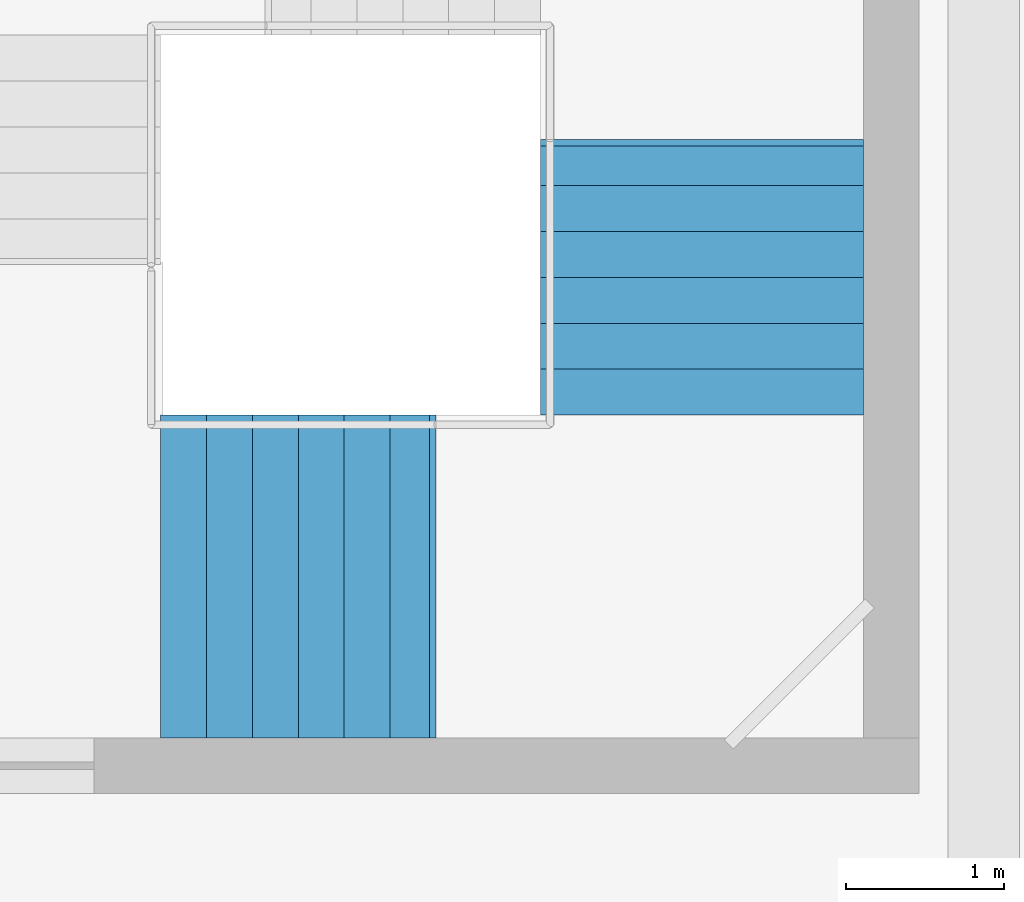
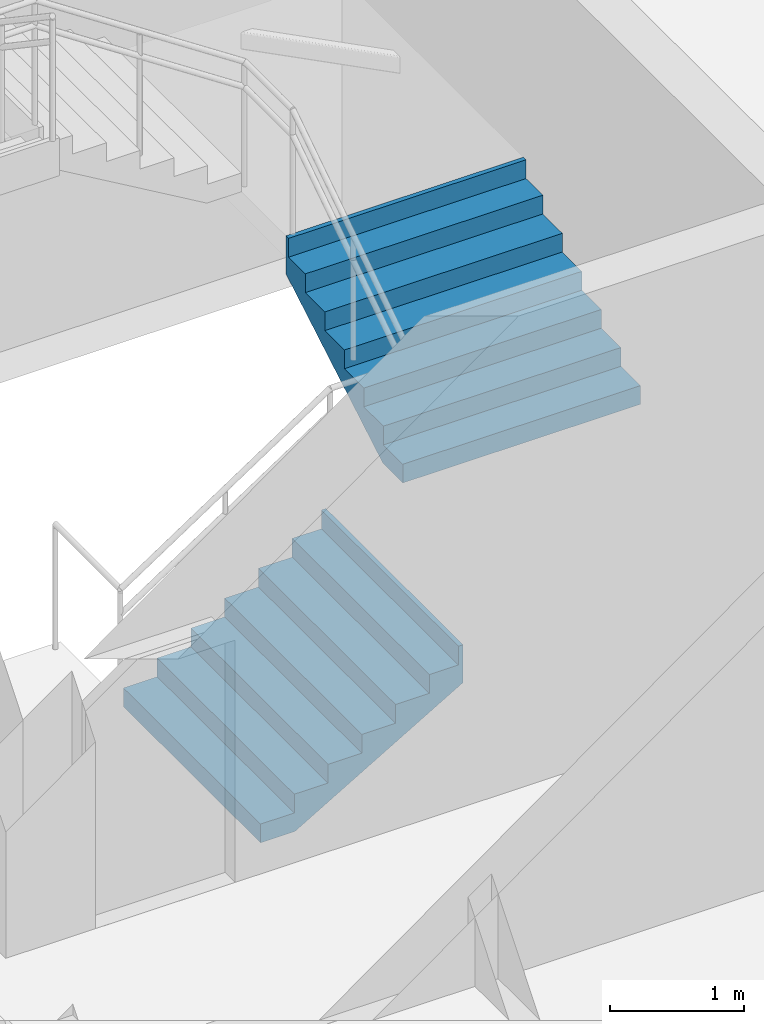
# One storey, part 26 of 32: 2 stair flights, 1 element without a shape of its own.
"""IFC4 building model written with IfcOpenShell, lengths in metres."""

from ifc_helpers import new_model, si_unit, direction, frame, origin, place, context, subcontext, project, spatial, triangles, material, type_object, element, aggregate, save


model = new_model("IFC4")

# Units and contexts
model_context = context("Model", 3, precision=1e-05, world=origin(), true_north=direction((0.0, 1.0)))
body_context = subcontext(model_context, "Body", "Model", "MODEL_VIEW")
ifc_project = project(units=[si_unit("LENGTHUNIT", "METRE"), si_unit("AREAUNIT", "SQUARE_METRE"), si_unit("VOLUMEUNIT", "CUBIC_METRE"), si_unit("PLANEANGLEUNIT", "RADIAN"), si_unit("MASSUNIT", "GRAM", prefix="KILO")], contexts=[model_context])

# Site, building, storey
site_placement = place(None, origin())
site = spatial("IfcSite", under=ifc_project, at=site_placement, CompositionType="ELEMENT")
building_placement = place(site_placement, origin())
building = spatial("IfcBuilding", under=site, at=building_placement, Name="Sillaruma Civic Art Gallery", CompositionType="ELEMENT")
storey_placement = place(building_placement, frame((0.0, 0.0, -4.590087890625)))
storey = spatial("IfcBuildingStorey", under=building, at=storey_placement, Name="B01", CompositionType="ELEMENT", Elevation=-4.590087890625)

# Stair, stair flights
ifc_material = material(Name="Concrete H35 (35 MPa)", Category="concrete")
stair_type = type_object("IfcStairType", Name="STR-4F-27", PredefinedType="USERDEFINED", material=ifc_material)
stair_placement = place(storey_placement, origin())
stair = element("IfcStair", 1, at=stair_placement, inside=storey, type_object=stair_type, Name="Protected Exit Stair ST-02 (West Bar North) (B01)", ObjectType="THREE_RETURN_STAIR", PredefinedType="USERDEFINED")
stair_flight_type = type_object("IfcStairFlightType", Name="SFL-STR-7", PredefinedType="STRAIGHT", material=ifc_material)
stair_flight_1_placement = place(storey_placement, frame((64.800048828125, 81.929931640625, 0.0), z_axis=(0.0, 0.0, 1.0), x_axis=(1.0, 0.0, 0.0)))
stair_flight_1 = element("IfcStairFlight", 2, at=stair_flight_1_placement, type_object=stair_flight_type, Name="ST-02 flight 1", NumberOfRisers=7, NumberOfTreads=6, PredefinedType="STRAIGHT", RiserHeight=0.17, TreadLength=0.29, context=body_context, shape_type="Tessellation", body=[
    triangles([(0.0, -1.02001953125, 0.0), (0.29, -1.02001953125, 0.0), (0.296404, -1.02001953125, 0.0), (0.58, -1.02001953125, 0.166246), (0.87, -1.02001953125, 0.336246), (1.16, -1.02001953125, 0.506246), (1.45, -1.02001953125, 0.676246), (1.69999, -1.02001953125, 0.822792), (1.73999, -1.02001953125, 0.84624), (1.73999, -1.02001953125, 1.19), (1.69999, -1.02001953125, 1.19), (1.69999, -1.02001953125, 1.02), (1.45, -1.02001953125, 1.02), (1.45, -1.02001953125, 0.85), (1.16, -1.02001953125, 0.85), (1.16, -1.02001953125, 0.68), (0.87, -1.02001953125, 0.68), (0.87, -1.02001953125, 0.51), (0.58, -1.02001953125, 0.51), (0.58, -1.02001953125, 0.34), (0.296404, -1.02001953125, 0.34), (0.29, -1.02001953125, 0.34), (0.29, -1.02001953125, 0.17), (0.0, -1.02001953125, 0.17), (0.0, -0.05, 0.0), (0.29, -0.05, 0.0), (0.296404, -0.05, 0.0), (0.58, -0.05, 0.166246), (0.87, -0.05, 0.336246), (1.16, -0.05, 0.506246), (1.45, -0.05, 0.676246), (1.69999, -0.05, 0.822792), (1.73999, -0.05, 0.84624), (1.73999, -0.05, 1.19), (1.69999, -0.05, 1.19), (1.69999, -0.05, 1.02), (1.45, -0.05, 1.02), (1.45, -0.05, 0.85), (1.16, -0.05, 0.85), (1.16, -0.05, 0.68), (0.87, -0.05, 0.68), (0.87, -0.05, 0.51), (0.58, -0.05, 0.51), (0.58, -0.05, 0.34), (0.296404, -0.05, 0.34), (0.29, -0.05, 0.34), (0.29, -0.05, 0.17), (0.0, -0.05, 0.17), (0.0, -0.0375, 0.0), (0.29, -0.0375, 0.0), (0.296404, -0.0375, 0.0), (0.58, -0.0375, 0.166246), (0.87, -0.0375, 0.336246), (1.16, -0.0375, 0.506246), (1.45, -0.0375, 0.676246), (1.69999, -0.0375, 0.822792), (1.73999, -0.0375, 0.84624), (1.73999, -0.0375, 1.19), (1.69999, -0.0375, 1.19), (1.69999, -0.0375, 1.02), (1.45, -0.0375, 1.02), (1.45, -0.0375, 0.85), (1.16, -0.0375, 0.85), (1.16, -0.0375, 0.68), (0.87, -0.0375, 0.68), (0.87, -0.0375, 0.51), (0.58, -0.0375, 0.51), (0.58, -0.0375, 0.34), (0.296404, -0.0375, 0.34), (0.29, -0.0375, 0.34), (0.29, -0.0375, 0.17), (0.0, -0.0375, 0.17), (0.0, -0.025, 0.0), (0.29, -0.025, 0.0), (0.296404, -0.025, 0.0), (0.58, -0.025, 0.166246), (0.87, -0.025, 0.336246), (1.16, -0.025, 0.506246), (1.45, -0.025, 0.676246), (1.69999, -0.025, 0.822792), (1.73999, -0.025, 0.84624), (1.73999, -0.025, 1.19), (1.69999, -0.025, 1.19), (1.69999, -0.025, 1.02), (1.45, -0.025, 1.02), (1.45, -0.025, 0.85), (1.16, -0.025, 0.85), (1.16, -0.025, 0.68), (0.87, -0.025, 0.68), (0.87, -0.025, 0.51), (0.58, -0.025, 0.51), (0.58, -0.025, 0.34), (0.296404, -0.025, 0.34), (0.29, -0.025, 0.34), (0.29, -0.025, 0.17), (0.0, -0.025, 0.17), (0.0, -0.0125, 0.0), (0.29, -0.0125, 0.0), (0.296404, -0.0125, 0.0), (0.58, -0.0125, 0.166246), (0.87, -0.0125, 0.336246), (1.16, -0.0125, 0.506246), (1.45, -0.0125, 0.676246), (1.69999, -0.0125, 0.822792), (1.73999, -0.0125, 0.84624), (1.73999, -0.0125, 1.19), (1.69999, -0.0125, 1.19), (1.69999, -0.0125, 1.02), (1.45, -0.0125, 1.02), (1.45, -0.0125, 0.85), (1.16, -0.0125, 0.85), (1.16, -0.0125, 0.68), (0.87, -0.0125, 0.68), (0.87, -0.0125, 0.51), (0.58, -0.0125, 0.51), (0.58, -0.0125, 0.34), (0.296404, -0.0125, 0.34), (0.29, -0.0125, 0.34), (0.29, -0.0125, 0.17), (0.0, -0.0125, 0.17), (0.0, 0.0, 0.0), (0.29, 0.0, 0.0), (0.296404, 0.0, 0.0), (0.58, 0.0, 0.166246), (0.87, 0.0, 0.336246), (1.16, 0.0, 0.506246), (1.45, 0.0, 0.676246), (1.69999, 0.0, 0.822792), (1.73999, 0.0, 0.84624), (1.73999, 0.0, 1.19), (1.69999, 0.0, 1.19), (1.69999, 0.0, 1.02), (1.45, 0.0, 1.02), (1.45, 0.0, 0.85), (1.16, 0.0, 0.85), (1.16, 0.0, 0.68), (0.87, 0.0, 0.68), (0.87, 0.0, 0.51), (0.58, 0.0, 0.51), (0.58, 0.0, 0.34), (0.296404, 0.0, 0.34), (0.29, 0.0, 0.34), (0.29, 0.0, 0.17), (0.0, 0.0, 0.17), (0.0, 0.0125, 0.0), (0.29, 0.0125, 0.0), (0.296404, 0.0125, 0.0), (0.58, 0.0125, 0.166246), (0.87, 0.0125, 0.336246), (1.16, 0.0125, 0.506246), (1.45, 0.0125, 0.676246), (1.69999, 0.0125, 0.822792), (1.73999, 0.0125, 0.84624), (1.73999, 0.0125, 1.19), (1.69999, 0.0125, 1.19), (1.69999, 0.0125, 1.02), (1.45, 0.0125, 1.02), (1.45, 0.0125, 0.85), (1.16, 0.0125, 0.85), (1.16, 0.0125, 0.68), (0.87, 0.0125, 0.68), (0.87, 0.0125, 0.51), (0.58, 0.0125, 0.51), (0.58, 0.0125, 0.34), (0.296404, 0.0125, 0.34), (0.29, 0.0125, 0.34), (0.29, 0.0125, 0.17), (0.0, 0.0125, 0.17), (0.0, 0.025, 0.0), (0.29, 0.025, 0.0), (0.296404, 0.025, 0.0), (0.58, 0.025, 0.166246), (0.87, 0.025, 0.336246), (1.16, 0.025, 0.506246), (1.45, 0.025, 0.676246), (1.69999, 0.025, 0.822792), (1.73999, 0.025, 0.84624), (1.73999, 0.025, 1.19), (1.69999, 0.025, 1.19), (1.69999, 0.025, 1.02), (1.45, 0.025, 1.02), (1.45, 0.025, 0.85), (1.16, 0.025, 0.85), (1.16, 0.025, 0.68), (0.87, 0.025, 0.68), (0.87, 0.025, 0.51), (0.58, 0.025, 0.51), (0.58, 0.025, 0.34), (0.296404, 0.025, 0.34), (0.29, 0.025, 0.34), (0.29, 0.025, 0.17), (0.0, 0.025, 0.17), (0.0, 0.0375, 0.0), (0.29, 0.0375, 0.0), (0.296404, 0.0375, 0.0), (0.58, 0.0375, 0.166246), (0.87, 0.0375, 0.336246), (1.16, 0.0375, 0.506246), (1.45, 0.0375, 0.676246), (1.69999, 0.0375, 0.822792), (1.73999, 0.0375, 0.84624), (1.73999, 0.0375, 1.19), (1.69999, 0.0375, 1.19), (1.69999, 0.0375, 1.02), (1.45, 0.0375, 1.02), (1.45, 0.0375, 0.85), (1.16, 0.0375, 0.85), (1.16, 0.0375, 0.68), (0.87, 0.0375, 0.68), (0.87, 0.0375, 0.51), (0.58, 0.0375, 0.51), (0.58, 0.0375, 0.34), (0.296404, 0.0375, 0.34), (0.29, 0.0375, 0.34), (0.29, 0.0375, 0.17), (0.0, 0.0375, 0.17), (0.0, 0.05, 0.0), (0.29, 0.05, 0.0), (0.296404, 0.05, 0.0), (0.58, 0.05, 0.166246), (0.87, 0.05, 0.336246), (1.16, 0.05, 0.506246), (1.45, 0.05, 0.676246), (1.69999, 0.05, 0.822792), (1.73999, 0.05, 0.84624), (1.73999, 0.05, 1.19), (1.69999, 0.05, 1.19), (1.69999, 0.05, 1.02), (1.45, 0.05, 1.02), (1.45, 0.05, 0.85), (1.16, 0.05, 0.85), (1.16, 0.05, 0.68), (0.87, 0.05, 0.68), (0.87, 0.05, 0.51), (0.58, 0.05, 0.51), (0.58, 0.05, 0.34), (0.296404, 0.05, 0.34), (0.29, 0.05, 0.34), (0.29, 0.05, 0.17), (0.0, 0.05, 0.17), (0.0, 1.02001953125, 0.0), (0.29, 1.02001953125, 0.0), (0.296404, 1.02001953125, 0.0), (0.58, 1.02001953125, 0.166246), (0.87, 1.02001953125, 0.336246), (1.16, 1.02001953125, 0.506246), (1.45, 1.02001953125, 0.676246), (1.69999, 1.02001953125, 0.822792), (1.73999, 1.02001953125, 0.84624), (1.73999, 1.02001953125, 1.19), (1.69999, 1.02001953125, 1.19), (1.69999, 1.02001953125, 1.02), (1.45, 1.02001953125, 1.02), (1.45, 1.02001953125, 0.85), (1.16, 1.02001953125, 0.85), (1.16, 1.02001953125, 0.68), (0.87, 1.02001953125, 0.68), (0.87, 1.02001953125, 0.51), (0.58, 1.02001953125, 0.51), (0.58, 1.02001953125, 0.34), (0.296404, 1.02001953125, 0.34), (0.29, 1.02001953125, 0.34), (0.29, 1.02001953125, 0.17), (0.0, 1.02001953125, 0.17)], [[1, 2, 23], [1, 23, 24], [2, 3, 21], [2, 21, 23], [23, 21, 22], [3, 4, 20], [3, 20, 21], [4, 5, 18], [4, 18, 20], [20, 18, 19], [5, 6, 16], [5, 16, 18], [18, 16, 17], [6, 7, 14], [6, 14, 16], [16, 14, 15], [7, 8, 12], [7, 12, 14], [14, 12, 13], [8, 9, 10], [8, 10, 12], [12, 10, 11], [263, 242, 241], [264, 263, 241], [261, 243, 242], [263, 261, 242], [262, 261, 263], [260, 244, 243], [261, 260, 243], [258, 245, 244], [260, 258, 244], [259, 258, 260], [256, 246, 245], [258, 256, 245], [257, 256, 258], [254, 247, 246], [256, 254, 246], [255, 254, 256], [252, 248, 247], [254, 252, 247], [253, 252, 254], [250, 249, 248], [252, 250, 248], [251, 250, 252], [2, 1, 25], [2, 25, 26], [3, 2, 26], [3, 26, 27], [4, 3, 27], [4, 27, 28], [5, 4, 28], [5, 28, 29], [6, 5, 29], [6, 29, 30], [7, 6, 30], [7, 30, 31], [8, 7, 31], [8, 31, 32], [9, 8, 32], [9, 32, 33], [10, 9, 33], [10, 33, 34], [11, 10, 34], [11, 34, 35], [12, 11, 35], [12, 35, 36], [13, 12, 36], [13, 36, 37], [14, 13, 37], [14, 37, 38], [15, 14, 38], [15, 38, 39], [16, 15, 39], [16, 39, 40], [17, 16, 40], [17, 40, 41], [18, 17, 41], [18, 41, 42], [19, 18, 42], [19, 42, 43], [20, 19, 43], [20, 43, 44], [21, 20, 44], [21, 44, 45], [22, 21, 45], [22, 45, 46], [23, 22, 46], [23, 46, 47], [24, 23, 47], [24, 47, 48], [1, 24, 48], [1, 48, 25], [26, 25, 49], [26, 49, 50], [27, 26, 50], [27, 50, 51], [28, 27, 51], [28, 51, 52], [29, 28, 52], [29, 52, 53], [30, 29, 53], [30, 53, 54], [31, 30, 54], [31, 54, 55], [32, 31, 55], [32, 55, 56], [33, 32, 56], [33, 56, 57], [34, 33, 57], [34, 57, 58], [35, 34, 58], [35, 58, 59], [36, 35, 59], [36, 59, 60], [37, 36, 60], [37, 60, 61], [38, 37, 61], [38, 61, 62], [39, 38, 62], [39, 62, 63], [40, 39, 63], [40, 63, 64], [41, 40, 64], [41, 64, 65], [42, 41, 65], [42, 65, 66], [43, 42, 66], [43, 66, 67], [44, 43, 67], [44, 67, 68], [45, 44, 68], [45, 68, 69], [46, 45, 69], [46, 69, 70], [47, 46, 70], [47, 70, 71], [48, 47, 71], [48, 71, 72], [25, 48, 72], [25, 72, 49], [50, 49, 73], [50, 73, 74], [51, 50, 74], [51, 74, 75], [52, 51, 75], [52, 75, 76], [53, 52, 76], [53, 76, 77], [54, 53, 77], [54, 77, 78], [55, 54, 78], [55, 78, 79], [56, 55, 79], [56, 79, 80], [57, 56, 80], [57, 80, 81], [58, 57, 81], [58, 81, 82], [59, 58, 82], [59, 82, 83], [60, 59, 83], [60, 83, 84], [61, 60, 84], [61, 84, 85], [62, 61, 85], [62, 85, 86], [63, 62, 86], [63, 86, 87], [64, 63, 87], [64, 87, 88], [65, 64, 88], [65, 88, 89], [66, 65, 89], [66, 89, 90], [67, 66, 90], [67, 90, 91], [68, 67, 91], [68, 91, 92], [69, 68, 92], [69, 92, 93], [70, 69, 93], [70, 93, 94], [71, 70, 94], [71, 94, 95], [72, 71, 95], [72, 95, 96], [49, 72, 96], [49, 96, 73], [74, 73, 97], [74, 97, 98], [75, 74, 98], [75, 98, 99], [76, 75, 99], [76, 99, 100], [77, 76, 100], [77, 100, 101], [78, 77, 101], [78, 101, 102], [79, 78, 102], [79, 102, 103], [80, 79, 103], [80, 103, 104], [81, 80, 104], [81, 104, 105], [82, 81, 105], [82, 105, 106], [83, 82, 106], [83, 106, 107], [84, 83, 107], [84, 107, 108], [85, 84, 108], [85, 108, 109], [86, 85, 109], [86, 109, 110], [87, 86, 110], [87, 110, 111], [88, 87, 111], [88, 111, 112], [89, 88, 112], [89, 112, 113], [90, 89, 113], [90, 113, 114], [91, 90, 114], [91, 114, 115], [92, 91, 115], [92, 115, 116], [93, 92, 116], [93, 116, 117], [94, 93, 117], [94, 117, 118], [95, 94, 118], [95, 118, 119], [96, 95, 119], [96, 119, 120], [73, 96, 120], [73, 120, 97], [98, 97, 121], [98, 121, 122], [99, 98, 122], [99, 122, 123], [100, 99, 123], [100, 123, 124], [101, 100, 124], [101, 124, 125], [102, 101, 125], [102, 125, 126], [103, 102, 126], [103, 126, 127], [104, 103, 127], [104, 127, 128], [105, 104, 128], [105, 128, 129], [106, 105, 129], [106, 129, 130], [107, 106, 130], [107, 130, 131], [108, 107, 131], [108, 131, 132], [109, 108, 132], [109, 132, 133], [110, 109, 133], [110, 133, 134], [111, 110, 134], [111, 134, 135], [112, 111, 135], [112, 135, 136], [113, 112, 136], [113, 136, 137], [114, 113, 137], [114, 137, 138], [115, 114, 138], [115, 138, 139], [116, 115, 139], [116, 139, 140], [117, 116, 140], [117, 140, 141], [118, 117, 141], [118, 141, 142], [119, 118, 142], [119, 142, 143], [120, 119, 143], [120, 143, 144], [97, 120, 144], [97, 144, 121], [122, 121, 145], [122, 145, 146], [123, 122, 146], [123, 146, 147], [124, 123, 147], [124, 147, 148], [125, 124, 148], [125, 148, 149], [126, 125, 149], [126, 149, 150], [127, 126, 150], [127, 150, 151], [128, 127, 151], [128, 151, 152], [129, 128, 152], [129, 152, 153], [130, 129, 153], [130, 153, 154], [131, 130, 154], [131, 154, 155], [132, 131, 155], [132, 155, 156], [133, 132, 156], [133, 156, 157], [134, 133, 157], [134, 157, 158], [135, 134, 158], [135, 158, 159], [136, 135, 159], [136, 159, 160], [137, 136, 160], [137, 160, 161], [138, 137, 161], [138, 161, 162], [139, 138, 162], [139, 162, 163], [140, 139, 163], [140, 163, 164], [141, 140, 164], [141, 164, 165], [142, 141, 165], [142, 165, 166], [143, 142, 166], [143, 166, 167], [144, 143, 167], [144, 167, 168], [121, 144, 168], [121, 168, 145], [146, 145, 169], [146, 169, 170], [147, 146, 170], [147, 170, 171], [148, 147, 171], [148, 171, 172], [149, 148, 172], [149, 172, 173], [150, 149, 173], [150, 173, 174], [151, 150, 174], [151, 174, 175], [152, 151, 175], [152, 175, 176], [153, 152, 176], [153, 176, 177], [154, 153, 177], [154, 177, 178], [155, 154, 178], [155, 178, 179], [156, 155, 179], [156, 179, 180], [157, 156, 180], [157, 180, 181], [158, 157, 181], [158, 181, 182], [159, 158, 182], [159, 182, 183], [160, 159, 183], [160, 183, 184], [161, 160, 184], [161, 184, 185], [162, 161, 185], [162, 185, 186], [163, 162, 186], [163, 186, 187], [164, 163, 187], [164, 187, 188], [165, 164, 188], [165, 188, 189], [166, 165, 189], [166, 189, 190], [167, 166, 190], [167, 190, 191], [168, 167, 191], [168, 191, 192], [145, 168, 192], [145, 192, 169], [170, 169, 193], [170, 193, 194], [171, 170, 194], [171, 194, 195], [172, 171, 195], [172, 195, 196], [173, 172, 196], [173, 196, 197], [174, 173, 197], [174, 197, 198], [175, 174, 198], [175, 198, 199], [176, 175, 199], [176, 199, 200], [177, 176, 200], [177, 200, 201], [178, 177, 201], [178, 201, 202], [179, 178, 202], [179, 202, 203], [180, 179, 203], [180, 203, 204], [181, 180, 204], [181, 204, 205], [182, 181, 205], [182, 205, 206], [183, 182, 206], [183, 206, 207], [184, 183, 207], [184, 207, 208], [185, 184, 208], [185, 208, 209], [186, 185, 209], [186, 209, 210], [187, 186, 210], [187, 210, 211], [188, 187, 211], [188, 211, 212], [189, 188, 212], [189, 212, 213], [190, 189, 213], [190, 213, 214], [191, 190, 214], [191, 214, 215], [192, 191, 215], [192, 215, 216], [169, 192, 216], [169, 216, 193], [194, 193, 217], [194, 217, 218], [195, 194, 218], [195, 218, 219], [196, 195, 219], [196, 219, 220], [197, 196, 220], [197, 220, 221], [198, 197, 221], [198, 221, 222], [199, 198, 222], [199, 222, 223], [200, 199, 223], [200, 223, 224], [201, 200, 224], [201, 224, 225], [202, 201, 225], [202, 225, 226], [203, 202, 226], [203, 226, 227], [204, 203, 227], [204, 227, 228], [205, 204, 228], [205, 228, 229], [206, 205, 229], [206, 229, 230], [207, 206, 230], [207, 230, 231], [208, 207, 231], [208, 231, 232], [209, 208, 232], [209, 232, 233], [210, 209, 233], [210, 233, 234], [211, 210, 234], [211, 234, 235], [212, 211, 235], [212, 235, 236], [213, 212, 236], [213, 236, 237], [214, 213, 237], [214, 237, 238], [215, 214, 238], [215, 238, 239], [216, 215, 239], [216, 239, 240], [193, 216, 240], [193, 240, 217], [218, 217, 241], [218, 241, 242], [219, 218, 242], [219, 242, 243], [220, 219, 243], [220, 243, 244], [221, 220, 244], [221, 244, 245], [222, 221, 245], [222, 245, 246], [223, 222, 246], [223, 246, 247], [224, 223, 247], [224, 247, 248], [225, 224, 248], [225, 248, 249], [226, 225, 249], [226, 249, 250], [227, 226, 250], [227, 250, 251], [228, 227, 251], [228, 251, 252], [229, 228, 252], [229, 252, 253], [230, 229, 253], [230, 253, 254], [231, 230, 254], [231, 254, 255], [232, 231, 255], [232, 255, 256], [233, 232, 256], [233, 256, 257], [234, 233, 257], [234, 257, 258], [235, 234, 258], [235, 258, 259], [236, 235, 259], [236, 259, 260], [237, 236, 260], [237, 260, 261], [238, 237, 261], [238, 261, 262], [239, 238, 262], [239, 262, 263], [240, 239, 263], [240, 263, 264], [217, 240, 264], [217, 264, 241]], closed=True),
])
stair_flight_2_placement = place(storey_placement, frame((68.219970703125, 82.949951171875, 1.190185546875), z_axis=(0.0, 0.0, 1.0), x_axis=(0.0, 1.0, 0.0)))
stair_flight_2 = element("IfcStairFlight", 3, at=stair_flight_2_placement, type_object=stair_flight_type, Name="ST-02 flight 2", NumberOfRisers=7, NumberOfTreads=6, PredefinedType="STRAIGHT", RiserHeight=0.17, TreadLength=0.29, context=body_context, shape_type="Tessellation", body=[
    triangles([(0.0, -1.02001953125, 0.0), (0.29, -1.02001953125, 0.0), (0.296404, -1.02001953125, 0.0), (0.58, -1.02001953125, 0.166246), (0.87, -1.02001953125, 0.336246), (1.16, -1.02001953125, 0.506246), (1.45, -1.02001953125, 0.676246), (1.69999, -1.02001953125, 0.822792), (1.73999, -1.02001953125, 0.84624), (1.73999, -1.02001953125, 1.19), (1.69999, -1.02001953125, 1.19), (1.69999, -1.02001953125, 1.02), (1.45, -1.02001953125, 1.02), (1.45, -1.02001953125, 0.85), (1.16, -1.02001953125, 0.85), (1.16, -1.02001953125, 0.68), (0.87, -1.02001953125, 0.68), (0.87, -1.02001953125, 0.51), (0.58, -1.02001953125, 0.51), (0.58, -1.02001953125, 0.34), (0.296404, -1.02001953125, 0.34), (0.29, -1.02001953125, 0.34), (0.29, -1.02001953125, 0.17), (0.0, -1.02001953125, 0.17), (0.0, -0.05, 0.0), (0.29, -0.05, 0.0), (0.296404, -0.05, 0.0), (0.58, -0.05, 0.166246), (0.87, -0.05, 0.336246), (1.16, -0.05, 0.506246), (1.45, -0.05, 0.676246), (1.69999, -0.05, 0.822792), (1.73999, -0.05, 0.84624), (1.73999, -0.05, 1.19), (1.69999, -0.05, 1.19), (1.69999, -0.05, 1.02), (1.45, -0.05, 1.02), (1.45, -0.05, 0.85), (1.16, -0.05, 0.85), (1.16, -0.05, 0.68), (0.87, -0.05, 0.68), (0.87, -0.05, 0.51), (0.58, -0.05, 0.51), (0.58, -0.05, 0.34), (0.296404, -0.05, 0.34), (0.29, -0.05, 0.34), (0.29, -0.05, 0.17), (0.0, -0.05, 0.17), (0.0, -0.0375, 0.0), (0.29, -0.0375, 0.0), (0.296404, -0.0375, 0.0), (0.58, -0.0375, 0.166246), (0.87, -0.0375, 0.336246), (1.16, -0.0375, 0.506246), (1.45, -0.0375, 0.676246), (1.69999, -0.0375, 0.822792), (1.73999, -0.0375, 0.84624), (1.73999, -0.0375, 1.19), (1.69999, -0.0375, 1.19), (1.69999, -0.0375, 1.02), (1.45, -0.0375, 1.02), (1.45, -0.0375, 0.85), (1.16, -0.0375, 0.85), (1.16, -0.0375, 0.68), (0.87, -0.0375, 0.68), (0.87, -0.0375, 0.51), (0.58, -0.0375, 0.51), (0.58, -0.0375, 0.34), (0.296404, -0.0375, 0.34), (0.29, -0.0375, 0.34), (0.29, -0.0375, 0.17), (0.0, -0.0375, 0.17), (0.0, -0.025, 0.0), (0.29, -0.025, 0.0), (0.296404, -0.025, 0.0), (0.58, -0.025, 0.166246), (0.87, -0.025, 0.336246), (1.16, -0.025, 0.506246), (1.45, -0.025, 0.676246), (1.69999, -0.025, 0.822792), (1.73999, -0.025, 0.84624), (1.73999, -0.025, 1.19), (1.69999, -0.025, 1.19), (1.69999, -0.025, 1.02), (1.45, -0.025, 1.02), (1.45, -0.025, 0.85), (1.16, -0.025, 0.85), (1.16, -0.025, 0.68), (0.87, -0.025, 0.68), (0.87, -0.025, 0.51), (0.58, -0.025, 0.51), (0.58, -0.025, 0.34), (0.296404, -0.025, 0.34), (0.29, -0.025, 0.34), (0.29, -0.025, 0.17), (0.0, -0.025, 0.17), (0.0, -0.0125, 0.0), (0.29, -0.0125, 0.0), (0.296404, -0.0125, 0.0), (0.58, -0.0125, 0.166246), (0.87, -0.0125, 0.336246), (1.16, -0.0125, 0.506246), (1.45, -0.0125, 0.676246), (1.69999, -0.0125, 0.822792), (1.73999, -0.0125, 0.84624), (1.73999, -0.0125, 1.19), (1.69999, -0.0125, 1.19), (1.69999, -0.0125, 1.02), (1.45, -0.0125, 1.02), (1.45, -0.0125, 0.85), (1.16, -0.0125, 0.85), (1.16, -0.0125, 0.68), (0.87, -0.0125, 0.68), (0.87, -0.0125, 0.51), (0.58, -0.0125, 0.51), (0.58, -0.0125, 0.34), (0.296404, -0.0125, 0.34), (0.29, -0.0125, 0.34), (0.29, -0.0125, 0.17), (0.0, -0.0125, 0.17), (0.0, 0.0, 0.0), (0.29, 0.0, 0.0), (0.296404, 0.0, 0.0), (0.58, 0.0, 0.166246), (0.87, 0.0, 0.336246), (1.16, 0.0, 0.506246), (1.45, 0.0, 0.676246), (1.69999, 0.0, 0.822792), (1.73999, 0.0, 0.84624), (1.73999, 0.0, 1.19), (1.69999, 0.0, 1.19), (1.69999, 0.0, 1.02), (1.45, 0.0, 1.02), (1.45, 0.0, 0.85), (1.16, 0.0, 0.85), (1.16, 0.0, 0.68), (0.87, 0.0, 0.68), (0.87, 0.0, 0.51), (0.58, 0.0, 0.51), (0.58, 0.0, 0.34), (0.296404, 0.0, 0.34), (0.29, 0.0, 0.34), (0.29, 0.0, 0.17), (0.0, 0.0, 0.17), (0.0, 0.0125, 0.0), (0.29, 0.0125, 0.0), (0.296404, 0.0125, 0.0), (0.58, 0.0125, 0.166246), (0.87, 0.0125, 0.336246), (1.16, 0.0125, 0.506246), (1.45, 0.0125, 0.676246), (1.69999, 0.0125, 0.822792), (1.73999, 0.0125, 0.84624), (1.73999, 0.0125, 1.19), (1.69999, 0.0125, 1.19), (1.69999, 0.0125, 1.02), (1.45, 0.0125, 1.02), (1.45, 0.0125, 0.85), (1.16, 0.0125, 0.85), (1.16, 0.0125, 0.68), (0.87, 0.0125, 0.68), (0.87, 0.0125, 0.51), (0.58, 0.0125, 0.51), (0.58, 0.0125, 0.34), (0.296404, 0.0125, 0.34), (0.29, 0.0125, 0.34), (0.29, 0.0125, 0.17), (0.0, 0.0125, 0.17), (0.0, 0.025, 0.0), (0.29, 0.025, 0.0), (0.296404, 0.025, 0.0), (0.58, 0.025, 0.166246), (0.87, 0.025, 0.336246), (1.16, 0.025, 0.506246), (1.45, 0.025, 0.676246), (1.69999, 0.025, 0.822792), (1.73999, 0.025, 0.84624), (1.73999, 0.025, 1.19), (1.69999, 0.025, 1.19), (1.69999, 0.025, 1.02), (1.45, 0.025, 1.02), (1.45, 0.025, 0.85), (1.16, 0.025, 0.85), (1.16, 0.025, 0.68), (0.87, 0.025, 0.68), (0.87, 0.025, 0.51), (0.58, 0.025, 0.51), (0.58, 0.025, 0.34), (0.296404, 0.025, 0.34), (0.29, 0.025, 0.34), (0.29, 0.025, 0.17), (0.0, 0.025, 0.17), (0.0, 0.0375, 0.0), (0.29, 0.0375, 0.0), (0.296404, 0.0375, 0.0), (0.58, 0.0375, 0.166246), (0.87, 0.0375, 0.336246), (1.16, 0.0375, 0.506246), (1.45, 0.0375, 0.676246), (1.69999, 0.0375, 0.822792), (1.73999, 0.0375, 0.84624), (1.73999, 0.0375, 1.19), (1.69999, 0.0375, 1.19), (1.69999, 0.0375, 1.02), (1.45, 0.0375, 1.02), (1.45, 0.0375, 0.85), (1.16, 0.0375, 0.85), (1.16, 0.0375, 0.68), (0.87, 0.0375, 0.68), (0.87, 0.0375, 0.51), (0.58, 0.0375, 0.51), (0.58, 0.0375, 0.34), (0.296404, 0.0375, 0.34), (0.29, 0.0375, 0.34), (0.29, 0.0375, 0.17), (0.0, 0.0375, 0.17), (0.0, 0.05, 0.0), (0.29, 0.05, 0.0), (0.296404, 0.05, 0.0), (0.58, 0.05, 0.166246), (0.87, 0.05, 0.336246), (1.16, 0.05, 0.506246), (1.45, 0.05, 0.676246), (1.69999, 0.05, 0.822792), (1.73999, 0.05, 0.84624), (1.73999, 0.05, 1.19), (1.69999, 0.05, 1.19), (1.69999, 0.05, 1.02), (1.45, 0.05, 1.02), (1.45, 0.05, 0.85), (1.16, 0.05, 0.85), (1.16, 0.05, 0.68), (0.87, 0.05, 0.68), (0.87, 0.05, 0.51), (0.58, 0.05, 0.51), (0.58, 0.05, 0.34), (0.296404, 0.05, 0.34), (0.29, 0.05, 0.34), (0.29, 0.05, 0.17), (0.0, 0.05, 0.17), (0.0, 1.02001953125, 0.0), (0.29, 1.02001953125, 0.0), (0.296404, 1.02001953125, 0.0), (0.58, 1.02001953125, 0.166246), (0.87, 1.02001953125, 0.336246), (1.16, 1.02001953125, 0.506246), (1.45, 1.02001953125, 0.676246), (1.69999, 1.02001953125, 0.822792), (1.73999, 1.02001953125, 0.84624), (1.73999, 1.02001953125, 1.19), (1.69999, 1.02001953125, 1.19), (1.69999, 1.02001953125, 1.02), (1.45, 1.02001953125, 1.02), (1.45, 1.02001953125, 0.85), (1.16, 1.02001953125, 0.85), (1.16, 1.02001953125, 0.68), (0.87, 1.02001953125, 0.68), (0.87, 1.02001953125, 0.51), (0.58, 1.02001953125, 0.51), (0.58, 1.02001953125, 0.34), (0.296404, 1.02001953125, 0.34), (0.29, 1.02001953125, 0.34), (0.29, 1.02001953125, 0.17), (0.0, 1.02001953125, 0.17)], [[1, 2, 23], [1, 23, 24], [2, 3, 21], [2, 21, 23], [23, 21, 22], [3, 4, 20], [3, 20, 21], [4, 5, 18], [4, 18, 20], [20, 18, 19], [5, 6, 16], [5, 16, 18], [18, 16, 17], [6, 7, 14], [6, 14, 16], [16, 14, 15], [7, 8, 12], [7, 12, 14], [14, 12, 13], [8, 9, 10], [8, 10, 12], [12, 10, 11], [263, 242, 241], [264, 263, 241], [261, 243, 242], [263, 261, 242], [262, 261, 263], [260, 244, 243], [261, 260, 243], [258, 245, 244], [260, 258, 244], [259, 258, 260], [256, 246, 245], [258, 256, 245], [257, 256, 258], [254, 247, 246], [256, 254, 246], [255, 254, 256], [252, 248, 247], [254, 252, 247], [253, 252, 254], [250, 249, 248], [252, 250, 248], [251, 250, 252], [2, 1, 25], [2, 25, 26], [3, 2, 26], [3, 26, 27], [4, 3, 27], [4, 27, 28], [5, 4, 28], [5, 28, 29], [6, 5, 29], [6, 29, 30], [7, 6, 30], [7, 30, 31], [8, 7, 31], [8, 31, 32], [9, 8, 32], [9, 32, 33], [10, 9, 33], [10, 33, 34], [11, 10, 34], [11, 34, 35], [12, 11, 35], [12, 35, 36], [13, 12, 36], [13, 36, 37], [14, 13, 37], [14, 37, 38], [15, 14, 38], [15, 38, 39], [16, 15, 39], [16, 39, 40], [17, 16, 40], [17, 40, 41], [18, 17, 41], [18, 41, 42], [19, 18, 42], [19, 42, 43], [20, 19, 43], [20, 43, 44], [21, 20, 44], [21, 44, 45], [22, 21, 45], [22, 45, 46], [23, 22, 46], [23, 46, 47], [24, 23, 47], [24, 47, 48], [1, 24, 48], [1, 48, 25], [26, 25, 49], [26, 49, 50], [27, 26, 50], [27, 50, 51], [28, 27, 51], [28, 51, 52], [29, 28, 52], [29, 52, 53], [30, 29, 53], [30, 53, 54], [31, 30, 54], [31, 54, 55], [32, 31, 55], [32, 55, 56], [33, 32, 56], [33, 56, 57], [34, 33, 57], [34, 57, 58], [35, 34, 58], [35, 58, 59], [36, 35, 59], [36, 59, 60], [37, 36, 60], [37, 60, 61], [38, 37, 61], [38, 61, 62], [39, 38, 62], [39, 62, 63], [40, 39, 63], [40, 63, 64], [41, 40, 64], [41, 64, 65], [42, 41, 65], [42, 65, 66], [43, 42, 66], [43, 66, 67], [44, 43, 67], [44, 67, 68], [45, 44, 68], [45, 68, 69], [46, 45, 69], [46, 69, 70], [47, 46, 70], [47, 70, 71], [48, 47, 71], [48, 71, 72], [25, 48, 72], [25, 72, 49], [50, 49, 73], [50, 73, 74], [51, 50, 74], [51, 74, 75], [52, 51, 75], [52, 75, 76], [53, 52, 76], [53, 76, 77], [54, 53, 77], [54, 77, 78], [55, 54, 78], [55, 78, 79], [56, 55, 79], [56, 79, 80], [57, 56, 80], [57, 80, 81], [58, 57, 81], [58, 81, 82], [59, 58, 82], [59, 82, 83], [60, 59, 83], [60, 83, 84], [61, 60, 84], [61, 84, 85], [62, 61, 85], [62, 85, 86], [63, 62, 86], [63, 86, 87], [64, 63, 87], [64, 87, 88], [65, 64, 88], [65, 88, 89], [66, 65, 89], [66, 89, 90], [67, 66, 90], [67, 90, 91], [68, 67, 91], [68, 91, 92], [69, 68, 92], [69, 92, 93], [70, 69, 93], [70, 93, 94], [71, 70, 94], [71, 94, 95], [72, 71, 95], [72, 95, 96], [49, 72, 96], [49, 96, 73], [74, 73, 97], [74, 97, 98], [75, 74, 98], [75, 98, 99], [76, 75, 99], [76, 99, 100], [77, 76, 100], [77, 100, 101], [78, 77, 101], [78, 101, 102], [79, 78, 102], [79, 102, 103], [80, 79, 103], [80, 103, 104], [81, 80, 104], [81, 104, 105], [82, 81, 105], [82, 105, 106], [83, 82, 106], [83, 106, 107], [84, 83, 107], [84, 107, 108], [85, 84, 108], [85, 108, 109], [86, 85, 109], [86, 109, 110], [87, 86, 110], [87, 110, 111], [88, 87, 111], [88, 111, 112], [89, 88, 112], [89, 112, 113], [90, 89, 113], [90, 113, 114], [91, 90, 114], [91, 114, 115], [92, 91, 115], [92, 115, 116], [93, 92, 116], [93, 116, 117], [94, 93, 117], [94, 117, 118], [95, 94, 118], [95, 118, 119], [96, 95, 119], [96, 119, 120], [73, 96, 120], [73, 120, 97], [98, 97, 121], [98, 121, 122], [99, 98, 122], [99, 122, 123], [100, 99, 123], [100, 123, 124], [101, 100, 124], [101, 124, 125], [102, 101, 125], [102, 125, 126], [103, 102, 126], [103, 126, 127], [104, 103, 127], [104, 127, 128], [105, 104, 128], [105, 128, 129], [106, 105, 129], [106, 129, 130], [107, 106, 130], [107, 130, 131], [108, 107, 131], [108, 131, 132], [109, 108, 132], [109, 132, 133], [110, 109, 133], [110, 133, 134], [111, 110, 134], [111, 134, 135], [112, 111, 135], [112, 135, 136], [113, 112, 136], [113, 136, 137], [114, 113, 137], [114, 137, 138], [115, 114, 138], [115, 138, 139], [116, 115, 139], [116, 139, 140], [117, 116, 140], [117, 140, 141], [118, 117, 141], [118, 141, 142], [119, 118, 142], [119, 142, 143], [120, 119, 143], [120, 143, 144], [97, 120, 144], [97, 144, 121], [122, 121, 145], [122, 145, 146], [123, 122, 146], [123, 146, 147], [124, 123, 147], [124, 147, 148], [125, 124, 148], [125, 148, 149], [126, 125, 149], [126, 149, 150], [127, 126, 150], [127, 150, 151], [128, 127, 151], [128, 151, 152], [129, 128, 152], [129, 152, 153], [130, 129, 153], [130, 153, 154], [131, 130, 154], [131, 154, 155], [132, 131, 155], [132, 155, 156], [133, 132, 156], [133, 156, 157], [134, 133, 157], [134, 157, 158], [135, 134, 158], [135, 158, 159], [136, 135, 159], [136, 159, 160], [137, 136, 160], [137, 160, 161], [138, 137, 161], [138, 161, 162], [139, 138, 162], [139, 162, 163], [140, 139, 163], [140, 163, 164], [141, 140, 164], [141, 164, 165], [142, 141, 165], [142, 165, 166], [143, 142, 166], [143, 166, 167], [144, 143, 167], [144, 167, 168], [121, 144, 168], [121, 168, 145], [146, 145, 169], [146, 169, 170], [147, 146, 170], [147, 170, 171], [148, 147, 171], [148, 171, 172], [149, 148, 172], [149, 172, 173], [150, 149, 173], [150, 173, 174], [151, 150, 174], [151, 174, 175], [152, 151, 175], [152, 175, 176], [153, 152, 176], [153, 176, 177], [154, 153, 177], [154, 177, 178], [155, 154, 178], [155, 178, 179], [156, 155, 179], [156, 179, 180], [157, 156, 180], [157, 180, 181], [158, 157, 181], [158, 181, 182], [159, 158, 182], [159, 182, 183], [160, 159, 183], [160, 183, 184], [161, 160, 184], [161, 184, 185], [162, 161, 185], [162, 185, 186], [163, 162, 186], [163, 186, 187], [164, 163, 187], [164, 187, 188], [165, 164, 188], [165, 188, 189], [166, 165, 189], [166, 189, 190], [167, 166, 190], [167, 190, 191], [168, 167, 191], [168, 191, 192], [145, 168, 192], [145, 192, 169], [170, 169, 193], [170, 193, 194], [171, 170, 194], [171, 194, 195], [172, 171, 195], [172, 195, 196], [173, 172, 196], [173, 196, 197], [174, 173, 197], [174, 197, 198], [175, 174, 198], [175, 198, 199], [176, 175, 199], [176, 199, 200], [177, 176, 200], [177, 200, 201], [178, 177, 201], [178, 201, 202], [179, 178, 202], [179, 202, 203], [180, 179, 203], [180, 203, 204], [181, 180, 204], [181, 204, 205], [182, 181, 205], [182, 205, 206], [183, 182, 206], [183, 206, 207], [184, 183, 207], [184, 207, 208], [185, 184, 208], [185, 208, 209], [186, 185, 209], [186, 209, 210], [187, 186, 210], [187, 210, 211], [188, 187, 211], [188, 211, 212], [189, 188, 212], [189, 212, 213], [190, 189, 213], [190, 213, 214], [191, 190, 214], [191, 214, 215], [192, 191, 215], [192, 215, 216], [169, 192, 216], [169, 216, 193], [194, 193, 217], [194, 217, 218], [195, 194, 218], [195, 218, 219], [196, 195, 219], [196, 219, 220], [197, 196, 220], [197, 220, 221], [198, 197, 221], [198, 221, 222], [199, 198, 222], [199, 222, 223], [200, 199, 223], [200, 223, 224], [201, 200, 224], [201, 224, 225], [202, 201, 225], [202, 225, 226], [203, 202, 226], [203, 226, 227], [204, 203, 227], [204, 227, 228], [205, 204, 228], [205, 228, 229], [206, 205, 229], [206, 229, 230], [207, 206, 230], [207, 230, 231], [208, 207, 231], [208, 231, 232], [209, 208, 232], [209, 232, 233], [210, 209, 233], [210, 233, 234], [211, 210, 234], [211, 234, 235], [212, 211, 235], [212, 235, 236], [213, 212, 236], [213, 236, 237], [214, 213, 237], [214, 237, 238], [215, 214, 238], [215, 238, 239], [216, 215, 239], [216, 239, 240], [193, 216, 240], [193, 240, 217], [218, 217, 241], [218, 241, 242], [219, 218, 242], [219, 242, 243], [220, 219, 243], [220, 243, 244], [221, 220, 244], [221, 244, 245], [222, 221, 245], [222, 245, 246], [223, 222, 246], [223, 246, 247], [224, 223, 247], [224, 247, 248], [225, 224, 248], [225, 248, 249], [226, 225, 249], [226, 249, 250], [227, 226, 250], [227, 250, 251], [228, 227, 251], [228, 251, 252], [229, 228, 252], [229, 252, 253], [230, 229, 253], [230, 253, 254], [231, 230, 254], [231, 254, 255], [232, 231, 255], [232, 255, 256], [233, 232, 256], [233, 256, 257], [234, 233, 257], [234, 257, 258], [235, 234, 258], [235, 258, 259], [236, 235, 259], [236, 259, 260], [237, 236, 260], [237, 260, 261], [238, 237, 261], [238, 261, 262], [239, 238, 262], [239, 262, 263], [240, 239, 263], [240, 263, 264], [217, 240, 264], [217, 264, 241]], closed=True),
])
aggregate(stair, [stair_flight_1, stair_flight_2])

save(model, "model.ifc")
